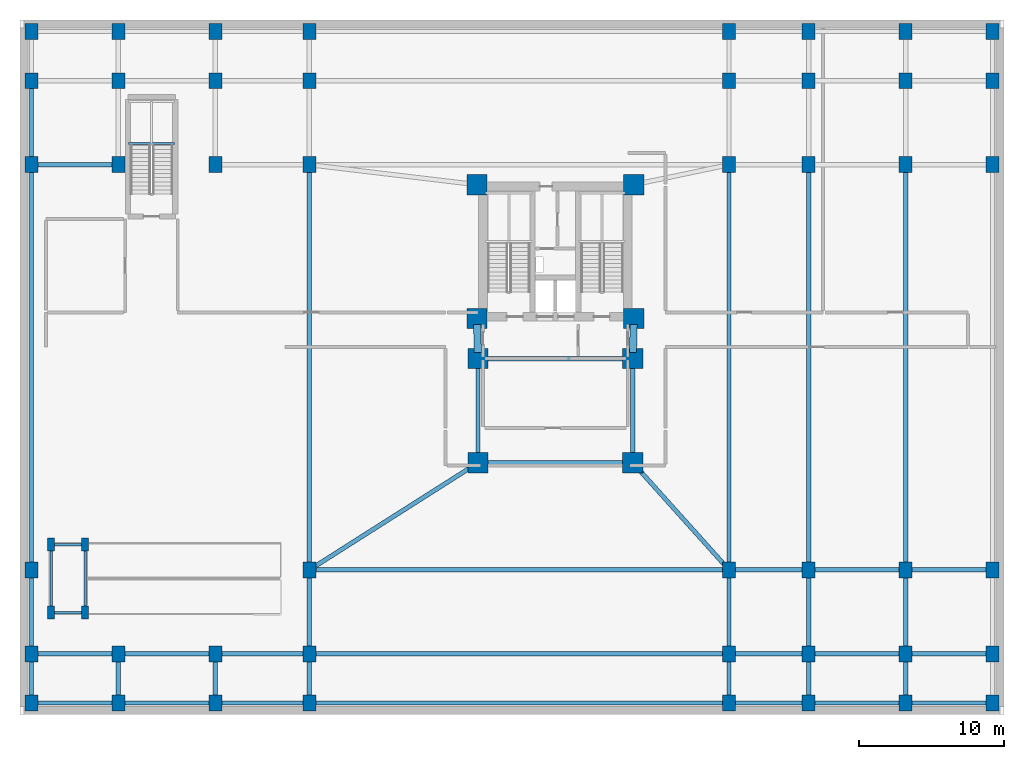
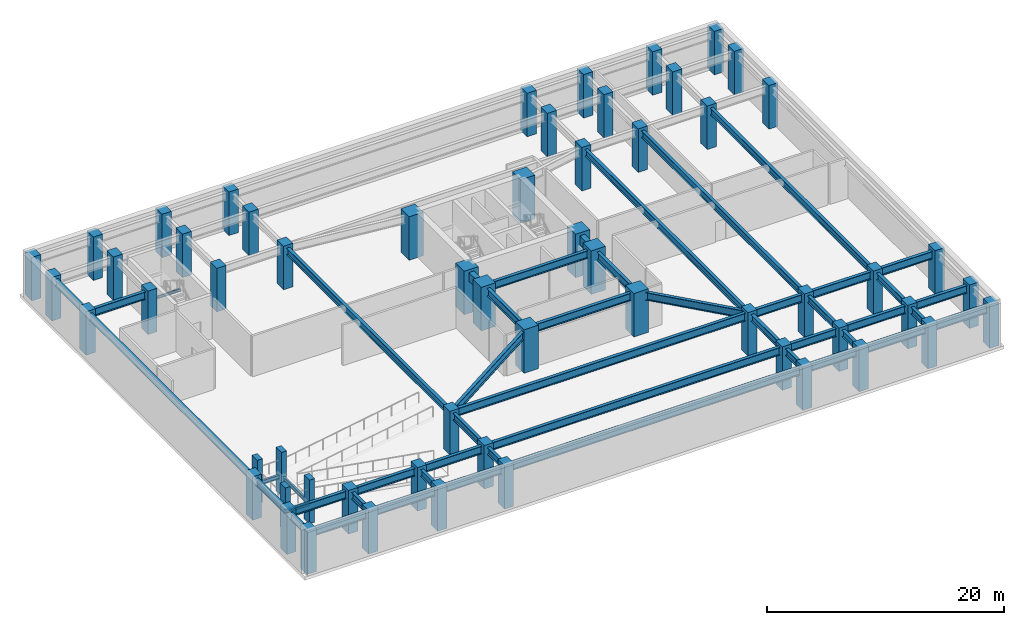
# One storey, part 1 of 8: 58 columns, 50 beams.
"""IFC4 building model written with IfcOpenShell, lengths in metres."""

import ifcopenshell
import ifcopenshell.guid

model = None  # the IFC model being written
_history = None  # IfcOwnerHistory: only IFC2X3 demands one
_inside = {}  # id of a spatial element -> (the spatial element, [elements in it])
_under = {}  # id of a project, library or spatial element -> (it, [spatial elements below it])
_declared = {}  # id of a project -> (the project, [libraries it declares])
_typed = {}  # id of a type object -> (the type object, [elements of that type])
_made_of = {}  # id of a material, layer set ... -> (it, [elements and type objects made of it])


def new_model(schema):
    """Start an empty IFC model of exactly this schema.

    Asked for "IFC4X3", IfcOpenShell would pick the latest addendum, in which some entities
    have other attributes; the version numbers below select the first issue.
    IFC2X3 requires an IfcOwnerHistory on every rooted entity: one is made here for all.
    """
    global model, _history
    if schema == "IFC4X3":
        model = ifcopenshell.file(schema_version=(4, 3, 0, 0))
    else:
        model = ifcopenshell.file(schema=schema)
    _inside.clear()
    _under.clear()
    _declared.clear()
    _typed.clear()
    _made_of.clear()
    _history = None
    if model.schema == "IFC2X3":
        org = make("IfcOrganization", Name="unknown")
        user = make(
            "IfcPersonAndOrganization",
            ThePerson=make("IfcPerson", FamilyName="unknown"),
            TheOrganization=org,
        )
        app = make(
            "IfcApplication",
            ApplicationDeveloper=org,
            Version="unknown",
            ApplicationFullName="unknown",
            ApplicationIdentifier="unknown",
        )
        _history = make(
            "IfcOwnerHistory",
            OwningUser=user,
            OwningApplication=app,
            ChangeAction="ADDED",
            CreationDate=0,
        )
    return model


def make(cls, **values):
    """One entity of the class cls with the attributes given. An attribute that is None is left unset."""
    return model.create_entity(
        cls, **{name: value for name, value in values.items() if value is not None}
    )


def rooted(cls, **values):
    """An entity with a GlobalId (a new one), such as an element, a storey or a relation."""
    return make(cls, GlobalId=ifcopenshell.guid.new(), OwnerHistory=_history, **values)


def si_unit(unit_type, name, prefix=None):
    """IfcSIUnit, for example si_unit("LENGTHUNIT", "METRE", prefix="MILLI")."""
    return make("IfcSIUnit", UnitType=unit_type, Prefix=prefix, Name=name)


def assignment(units):
    """IfcUnitAssignment: the units of a project."""
    return None if units is None else make("IfcUnitAssignment", Units=units)


def point(xyz):
    """IfcCartesianPoint."""
    return None if xyz is None else make("IfcCartesianPoint", Coordinates=xyz)


def direction(xyz):
    """IfcDirection."""
    return None if xyz is None else make("IfcDirection", DirectionRatios=xyz)


def frame(location, z_axis=None, x_axis=None):
    """IfcAxis2Placement3D, a coordinate frame: its origin and axes. An axis left out is left unset."""
    return make(
        "IfcAxis2Placement3D",
        Location=point(location),
        Axis=direction(z_axis),
        RefDirection=direction(x_axis),
    )


def frame_2d(location, x_axis=None):
    """IfcAxis2Placement2D, a coordinate frame in the plane: its origin and x axis."""
    return make(
        "IfcAxis2Placement2D", Location=point(location), RefDirection=direction(x_axis)
    )


def origin():
    """The frame at (0, 0, 0) with its axes left unset."""
    return frame((0.0, 0.0, 0.0))


def origin_2d():
    """The frame at (0, 0) in the plane with its x axis left unset."""
    return frame_2d((0.0, 0.0))


def place(relative_to, where):
    """IfcLocalPlacement: puts the frame where relative to a parent placement (None: the world)."""
    return make(
        "IfcLocalPlacement", PlacementRelTo=relative_to, RelativePlacement=where
    )


def context(
    kind, dimensions, precision=None, world=None, true_north=None, identifier=None
):
    """IfcGeometricRepresentationContext, for example the 3D "Model" context."""
    return make(
        "IfcGeometricRepresentationContext",
        ContextIdentifier=identifier,
        ContextType=kind,
        CoordinateSpaceDimension=dimensions,
        Precision=precision,
        WorldCoordinateSystem=world,
        TrueNorth=true_north,
    )


def subcontext(parent, identifier, kind, view, scale=None):
    """IfcGeometricRepresentationSubContext, for example "Body" below "Model"."""
    return make(
        "IfcGeometricRepresentationSubContext",
        ContextIdentifier=identifier,
        ContextType=kind,
        ParentContext=parent,
        TargetScale=scale,
        TargetView=view,
    )


def project(units=None, contexts=None):
    """IfcProject with its units and contexts."""
    return rooted(
        "IfcProject",
        Name="project",
        RepresentationContexts=contexts,
        UnitsInContext=assignment(units),
    )


def spatial(cls, under=None, at=None, **own):
    """A site, building, storey or space (cls), placed at a placement, below another one or the project."""
    s = rooted(cls, ObjectPlacement=at, **own)
    if under is not None:
        _under.setdefault(under.id(), (under, []))[1].append(s)
    return s


def profile(cls, at=None, kind="AREA", **sizes):
    """A parametric profile (cls). Its sizes go by their IFC names, for example OverallWidth=200.0."""
    return make(cls, ProfileType=kind, Position=at, **sizes)


def rectangle(**sizes):
    """IfcRectangleProfileDef."""
    return profile("IfcRectangleProfileDef", **sizes)


def i_section(**sizes):
    """IfcIShapeProfileDef."""
    return profile("IfcIShapeProfileDef", **sizes)


def extrude(swept, where, along, depth):
    """IfcExtrudedAreaSolid: the profile swept, set in the frame where, extruded along a direction by depth."""
    return make(
        "IfcExtrudedAreaSolid",
        SweptArea=swept,
        Position=where,
        ExtrudedDirection=direction(along),
        Depth=depth,
    )


def shape(context_of_items, identifier, shape_type, items):
    """IfcShapeRepresentation: the items that make up one representation, for example the "Body"."""
    return make(
        "IfcShapeRepresentation",
        ContextOfItems=context_of_items,
        RepresentationIdentifier=identifier,
        RepresentationType=shape_type,
        Items=items,
    )


def material(Name=None, Category=None):
    """IfcMaterial."""
    return make("IfcMaterial", Name=Name, Category=Category)


def material_profile(
    of_material, cross_section, Name=None, Category=None, Priority=None
):
    """IfcMaterialProfile: a cross section and its material."""
    return make(
        "IfcMaterialProfile",
        Name=Name,
        Material=of_material,
        Profile=cross_section,
        Priority=Priority,
        Category=Category,
    )


def profile_set(profiles, Name=None, composite=None):
    """IfcMaterialProfileSet."""
    return make(
        "IfcMaterialProfileSet",
        Name=Name,
        MaterialProfiles=profiles,
        CompositeProfile=composite,
    )


def made_of(thing, what):
    """Note that an element or type object is made of a material, layer set ...; save() writes the relation."""
    if what is not None:
        _made_of.setdefault(what.id(), (what, []))[1].append(thing)
    return thing


def type_object(cls, material=None, **own):
    """A type object (cls), such as IfcWallType, which elements share."""
    return made_of(rooted(cls, **own), material)


def element(
    cls,
    number,
    at=None,
    inside=None,
    cuts=None,
    type_object=None,
    material=None,
    context=None,
    identifier="Body",
    shape_type=None,
    held_by="IfcProductDefinitionShape",
    body=None,
    shapes=None,
    **own,
):
    """One element of the class cls, such as IfcWall. Its Tag is "e" and its number.

    at: its placement. inside: the storey or other place that contains it. cuts: it is an
    opening in that element (IfcRelVoidsElement). A single representation is given by context,
    identifier, shape_type and body (its items); several are given by shapes. held_by: the class
    of the entity that holds the representations. save() writes the other relations.
    """
    e = rooted(cls, Tag="e%d" % number, ObjectPlacement=at, **own)
    if body is not None:
        shapes = [shape(context, identifier, shape_type, body)]
    if shapes is not None:
        e.Representation = make(held_by, Representations=shapes)
    if inside is not None:
        _inside.setdefault(inside.id(), (inside, []))[1].append(e)
    if cuts is not None:
        rooted(
            "IfcRelVoidsElement", RelatingBuildingElement=cuts, RelatedOpeningElement=e
        )
    if type_object is not None:
        _typed.setdefault(type_object.id(), (type_object, []))[1].append(e)
    return made_of(e, material)


def aggregate(whole, parts):
    """IfcRelAggregates: a whole, such as a stair, and the parts it consists of."""
    return rooted("IfcRelAggregates", RelatingObject=whole, RelatedObjects=parts)


def save(model, path):
    """Write the relations noted so far, then the file.

    IfcRelAggregates (storeys below a building ...), IfcRelContainedInSpatialStructure (elements
    in a storey), IfcRelDefinesByType, IfcRelAssociatesMaterial and IfcRelDeclares: one each for
    every whole, place, type object, material and project.
    """
    for whole, parts in _under.values():
        aggregate(whole, parts)
    for where, things in _inside.values():
        rooted(
            "IfcRelContainedInSpatialStructure",
            RelatedElements=things,
            RelatingStructure=where,
        )
    for kind, things in _typed.values():
        rooted("IfcRelDefinesByType", RelatedObjects=things, RelatingType=kind)
    for what, things in _made_of.values():
        rooted("IfcRelAssociatesMaterial", RelatedObjects=things, RelatingMaterial=what)
    for by, libraries in _declared.values():
        rooted("IfcRelDeclares", RelatingContext=by, RelatedDefinitions=libraries)
    model.write(path)


model = new_model("IFC4")

# Units and contexts
model_context = context("Model", 3, precision=1e-05, world=origin(), true_north=direction((0.0, 1.0)))
body_context = subcontext(model_context, "Body", "Model", "MODEL_VIEW")
ifc_project = project(units=[si_unit("LENGTHUNIT", "METRE"), si_unit("AREAUNIT", "SQUARE_METRE"), si_unit("VOLUMEUNIT", "CUBIC_METRE"), si_unit("PLANEANGLEUNIT", "RADIAN"), si_unit("MASSUNIT", "GRAM", prefix="KILO")], contexts=[model_context])

# Site, building, storey
site_placement = place(None, origin())
site = spatial("IfcSite", under=ifc_project, at=site_placement, CompositionType="ELEMENT")
building_placement = place(site_placement, origin())
building = spatial("IfcBuilding", under=site, at=building_placement, Name="Varnakorn Sky Granary", CompositionType="ELEMENT")
storey_placement = place(building_placement, frame((0.0, 0.0, -9.0)))
storey = spatial("IfcBuildingStorey", under=building, at=storey_placement, Name="B02", CompositionType="ELEMENT", Elevation=-9.0)

# Columns
ifc_material_1 = material(Name="Concrete C60/75", Category="concrete")
ifc_material_profile_1 = material_profile(ifc_material_1, rectangle(XDim=1.39990234375, YDim=1.39990234375, at=origin_2d()), Name="RC 1400x1400")
ifc_profile_set_1 = profile_set([ifc_material_profile_1], Name="Concrete C60/75")
column_type_1 = type_object("IfcColumnType", Name="COL-MC-Z0", PredefinedType="COLUMN", material=ifc_profile_set_1)
for number, where, z_axis, x_axis, name in (
    (1, (-2.419921875, 12.6201171875, 0.0), (0.0, 0.0, 1.0), (1.0, 0.0, 0.0), "Backbone Mega-Column MC1 B02"),
    (2, (8.419921875, 12.6201171875, 0.0), (0.0, 0.0, 1.0), (1.0, 0.0, 0.0), "Backbone Mega-Column MC2 B02"),
    (3, (-2.419921875, 3.3798828125, 0.0), (0.0, 0.0, 1.0), (1.0, 0.0, 0.0), "Backbone Mega-Column MC3 B02"),
    (4, (8.419921875, 3.3798828125, 0.0), (0.0, 0.0, 1.0), (1.0, 0.0, 0.0), "Backbone Mega-Column MC4 B02"),
    (5, (-2.35009765625, 0.60009765625, 0.0), (0.0, 0.0, 1.0), (1.0, 0.0, 0.0), "Backbone Mega-Column MC5 B02"),
    (6, (8.35009765625, 0.60009765625, 0.0), (0.0, 0.0, 1.0), (1.0, 0.0, 0.0), "Backbone Mega-Column MC6 B02"),
    (7, (-2.35009765625, -6.60009765625, 0.0), (0.0, 0.0, 1.0), (1.0, 0.0, 0.0), "Backbone Mega-Column MC7 B02"),
    (8, (8.35009765625, -6.60009765625, 0.0), (0.0, 0.0, 1.0), (1.0, 0.0, 0.0), "Backbone Mega-Column MC8 B02"),
):
    element("IfcColumn", number, at=place(storey_placement, frame(where, z_axis=z_axis, x_axis=x_axis)), inside=storey, type_object=column_type_1, Name=name, PredefinedType="COLUMN", context=body_context, shape_type="SweptSolid", body=[
        extrude(rectangle(XDim=1.39990234375, YDim=1.39990234375, at=origin_2d()), origin(), (0.0, 0.0, 1.0), 4.47509765625),
    ])
ifc_material_profile_2 = material_profile(ifc_material_1, rectangle(XDim=0.89990234375, YDim=1.10009765625, at=origin_2d()), Name="RC 900x1100")
ifc_profile_set_2 = profile_set([ifc_material_profile_2], Name="Concrete C60/75")
column_type_2 = type_object("IfcColumnType", Name="COL-POD-1100", PredefinedType="COLUMN", material=ifc_profile_set_2)
for number, where, z_axis, x_axis, name in (
    (9, (-33.199951171875, -23.199951171875, 0.0), (0.0, 0.0, 1.0), (1.0, 0.0, 0.0), "Podium Column P11 B02"),
    (10, (-33.199951171875, -19.800048828125, 0.0), (0.0, 0.0, 1.0), (1.0, 0.0, 0.0), "Podium Column P12 B02"),
    (11, (-33.199951171875, -14.0, 0.0), (0.0, 0.0, 1.0), (1.0, 0.0, 0.0), "Podium Column P13 B02"),
    (12, (-33.199951171875, 14.0, 0.0), (0.0, 0.0, 1.0), (1.0, 0.0, 0.0), "Podium Column P14 B02"),
    (13, (-33.199951171875, 19.800048828125, 0.0), (0.0, 0.0, 1.0), (1.0, 0.0, 0.0), "Podium Column P15 B02"),
    (14, (-33.199951171875, 23.199951171875, 0.0), (0.0, 0.0, 1.0), (1.0, 0.0, 0.0), "Podium Column P16 B02"),
    (15, (-27.199951171875, -23.199951171875, 0.0), (0.0, 0.0, 1.0), (1.0, 0.0, 0.0), "Podium Column P21 B02"),
    (16, (-27.199951171875, -19.800048828125, 0.0), (0.0, 0.0, 1.0), (1.0, 0.0, 0.0), "Podium Column P22 B02"),
    (17, (-27.199951171875, 14.0, 0.0), (0.0, 0.0, 1.0), (1.0, 0.0, 0.0), "Podium Column P24 B02"),
    (18, (-27.199951171875, 19.800048828125, 0.0), (0.0, 0.0, 1.0), (1.0, 0.0, 0.0), "Podium Column P25 B02"),
    (19, (-27.199951171875, 23.199951171875, 0.0), (0.0, 0.0, 1.0), (1.0, 0.0, 0.0), "Podium Column P26 B02"),
    (20, (-20.5, -23.199951171875, 0.0), (0.0, 0.0, 1.0), (1.0, 0.0, 0.0), "Podium Column P31 B02"),
    (21, (-20.5, -19.800048828125, 0.0), (0.0, 0.0, 1.0), (1.0, 0.0, 0.0), "Podium Column P32 B02"),
    (22, (-20.5, 14.0, 0.0), (0.0, 0.0, 1.0), (1.0, 0.0, 0.0), "Podium Column P34 B02"),
    (23, (-20.5, 19.800048828125, 0.0), (0.0, 0.0, 1.0), (1.0, 0.0, 0.0), "Podium Column P35 B02"),
    (24, (-20.5, 23.199951171875, 0.0), (0.0, 0.0, 1.0), (1.0, 0.0, 0.0), "Podium Column P36 B02"),
    (25, (-14.0, -23.199951171875, 0.0), (0.0, 0.0, 1.0), (1.0, 0.0, 0.0), "Podium Column P41 B02"),
    (26, (-14.0, -19.800048828125, 0.0), (0.0, 0.0, 1.0), (1.0, 0.0, 0.0), "Podium Column P42 B02"),
    (27, (-14.0, -14.0, 0.0), (0.0, 0.0, 1.0), (1.0, 0.0, 0.0), "Podium Column P43 B02"),
    (28, (-14.0, 14.0, 0.0), (0.0, 0.0, 1.0), (1.0, 0.0, 0.0), "Podium Column P44 B02"),
    (29, (-14.0, 19.800048828125, 0.0), (0.0, 0.0, 1.0), (1.0, 0.0, 0.0), "Podium Column P45 B02"),
    (30, (-14.0, 23.199951171875, 0.0), (0.0, 0.0, 1.0), (1.0, 0.0, 0.0), "Podium Column P46 B02"),
    (31, (15.0, -23.199951171875, 0.0), (0.0, 0.0, 1.0), (1.0, 0.0, 0.0), "Podium Column P51 B02"),
    (32, (15.0, -19.800048828125, 0.0), (0.0, 0.0, 1.0), (1.0, 0.0, 0.0), "Podium Column P52 B02"),
    (33, (15.0, -14.0, 0.0), (0.0, 0.0, 1.0), (1.0, 0.0, 0.0), "Podium Column P53 B02"),
    (34, (15.0, 14.0, 0.0), (0.0, 0.0, 1.0), (1.0, 0.0, 0.0), "Podium Column P54 B02"),
    (35, (15.0, 19.800048828125, 0.0), (0.0, 0.0, 1.0), (1.0, 0.0, 0.0), "Podium Column P55 B02"),
    (36, (15.0, 23.199951171875, 0.0), (0.0, 0.0, 1.0), (1.0, 0.0, 0.0), "Podium Column P56 B02"),
    (37, (20.5, -23.199951171875, 0.0), (0.0, 0.0, 1.0), (1.0, 0.0, 0.0), "Podium Column P61 B02"),
    (38, (20.5, -19.800048828125, 0.0), (0.0, 0.0, 1.0), (1.0, 0.0, 0.0), "Podium Column P62 B02"),
    (39, (20.5, -14.0, 0.0), (0.0, 0.0, 1.0), (1.0, 0.0, 0.0), "Podium Column P63 B02"),
    (40, (20.5, 14.0, 0.0), (0.0, 0.0, 1.0), (1.0, 0.0, 0.0), "Podium Column P64 B02"),
    (41, (20.5, 19.800048828125, 0.0), (0.0, 0.0, 1.0), (1.0, 0.0, 0.0), "Podium Column P65 B02"),
    (42, (20.5, 23.199951171875, 0.0), (0.0, 0.0, 1.0), (1.0, 0.0, 0.0), "Podium Column P66 B02"),
    (43, (27.199951171875, -23.199951171875, 0.0), (0.0, 0.0, 1.0), (1.0, 0.0, 0.0), "Podium Column P71 B02"),
    (44, (27.199951171875, -19.800048828125, 0.0), (0.0, 0.0, 1.0), (1.0, 0.0, 0.0), "Podium Column P72 B02"),
    (45, (27.199951171875, -14.0, 0.0), (0.0, 0.0, 1.0), (1.0, 0.0, 0.0), "Podium Column P73 B02"),
    (46, (27.199951171875, 14.0, 0.0), (0.0, 0.0, 1.0), (1.0, 0.0, 0.0), "Podium Column P74 B02"),
    (47, (27.199951171875, 19.800048828125, 0.0), (0.0, 0.0, 1.0), (1.0, 0.0, 0.0), "Podium Column P75 B02"),
    (48, (27.199951171875, 23.199951171875, 0.0), (0.0, 0.0, 1.0), (1.0, 0.0, 0.0), "Podium Column P76 B02"),
    (49, (33.199951171875, -23.199951171875, 0.0), (0.0, 0.0, 1.0), (1.0, 0.0, 0.0), "Podium Column P81 B02"),
    (50, (33.199951171875, -19.800048828125, 0.0), (0.0, 0.0, 1.0), (1.0, 0.0, 0.0), "Podium Column P82 B02"),
    (51, (33.199951171875, -14.0, 0.0), (0.0, 0.0, 1.0), (1.0, 0.0, 0.0), "Podium Column P83 B02"),
    (52, (33.199951171875, 14.0, 0.0), (0.0, 0.0, 1.0), (1.0, 0.0, 0.0), "Podium Column P84 B02"),
    (53, (33.199951171875, 19.800048828125, 0.0), (0.0, 0.0, 1.0), (1.0, 0.0, 0.0), "Podium Column P85 B02"),
    (54, (33.199951171875, 23.199951171875, 0.0), (0.0, 0.0, 1.0), (1.0, 0.0, 0.0), "Podium Column P86 B02"),
):
    element("IfcColumn", number, at=place(storey_placement, frame(where, z_axis=z_axis, x_axis=x_axis)), inside=storey, type_object=column_type_2, Name=name, PredefinedType="COLUMN", context=body_context, shape_type="SweptSolid", body=[
        extrude(rectangle(XDim=0.89990234375, YDim=1.10009765625, at=origin_2d()), origin(), (0.0, 0.0, 1.0), 4.47509765625),
    ])
ifc_material_2 = material(Name="Concrete C50/60", Category="concrete")
ifc_material_profile_3 = material_profile(ifc_material_2, rectangle(XDim=0.5, YDim=0.89990234375, at=origin_2d()), Name="RC 500x900")
ifc_profile_set_3 = profile_set([ifc_material_profile_3], Name="Concrete C50/60")
column_type_3 = type_object("IfcColumnType", Name="COL-RMP-500", PredefinedType="COLUMN", material=ifc_profile_set_3)
for number, where, z_axis, x_axis, name in (
    (55, (-31.85009765625, -16.949951171875, 0.0), (0.0, 0.0, 1.0), (1.0, 0.0, 0.0), "Vehicle Ramp Support Column 1 B02"),
    (56, (-29.5, -16.949951171875, 0.0), (0.0, 0.0, 1.0), (1.0, 0.0, 0.0), "Vehicle Ramp Support Column 2 B02"),
    (57, (-31.85009765625, -12.25, 0.0), (0.0, 0.0, 1.0), (1.0, 0.0, 0.0), "Vehicle Ramp Support Column 3 B02"),
    (58, (-29.5, -12.25, 0.0), (0.0, 0.0, 1.0), (1.0, 0.0, 0.0), "Vehicle Ramp Support Column 4 B02"),
):
    element("IfcColumn", number, at=place(storey_placement, frame(where, z_axis=z_axis, x_axis=x_axis)), inside=storey, type_object=column_type_3, Name=name, PredefinedType="COLUMN", context=body_context, shape_type="SweptSolid", body=[
        extrude(rectangle(XDim=0.5, YDim=0.89990234375, at=origin_2d()), origin(), (0.0, 0.0, 1.0), 4.491943359375),
    ])

# Beams
ifc_material_profile_4 = material_profile(ifc_material_1, rectangle(XDim=0.5, YDim=0.89990234375, at=origin_2d()), Name="RC 500x900")
ifc_profile_set_4 = profile_set([ifc_material_profile_4], Name="Concrete C60/75")
beam_type_1 = type_object("IfcBeamType", Name="BM-LIN-900", PredefinedType="LINTEL", material=ifc_profile_set_4)
for number, where, z_axis, x_axis, name in (
    (59, (-2.409423828125, 2.960205078125, 3.72998046875), (0.025158763514, -0.999683468213, 0.0), (0.999683468213, 0.025158763514, 0.0), "Core Spine Beam 1 B02"),
    (60, (8.409423828125, 2.960205078125, 3.72998046875), (-0.025158763514, -0.999683468213, 0.0), (0.999683468213, -0.025158763514, 0.0), "Core Spine Beam 2 B02"),
):
    element("IfcBeam", number, at=place(storey_placement, frame(where, z_axis=z_axis, x_axis=x_axis)), inside=storey, type_object=beam_type_1, Name=name, PredefinedType="LINTEL", context=body_context, shape_type="SweptSolid", body=[
        extrude(rectangle(XDim=0.5, YDim=0.89990234375, at=origin_2d()), origin(), (0.0, 0.0, 1.0), 1.94091796875),
    ])
ifc_material_3 = material(Name="Steel S355JR", Category="steel")
ifc_material_profile_5 = material_profile(ifc_material_3, i_section(OverallWidth=0.135009765625, OverallDepth=0.27001953125, WebThickness=0.006591796875, FlangeThickness=0.01025390625, at=origin_2d()), Name="IPE 270")
ifc_profile_set_5 = profile_set([ifc_material_profile_5], Name="Steel S355JR")
beam_type_2 = type_object("IfcBeamType", Name="BM-LND-270", PredefinedType="BEAM", material=ifc_profile_set_5)
beam_1_placement = place(storey_placement, frame((-26.5, 15.4599609375, 1.9150390625), z_axis=(1.0, 0.0, 0.0), x_axis=(0.0, 1.0, 0.0)))
element("IfcBeam", 61, at=beam_1_placement, inside=storey, type_object=beam_type_2, Name="Stair ST-B3 Landing Trimmer Beam A B02-1", PredefinedType="BEAM", context=body_context, shape_type="SweptSolid", body=[
    extrude(i_section(OverallWidth=0.135009765625, OverallDepth=0.27001953125, WebThickness=0.006591796875, FlangeThickness=0.01025390625, at=origin_2d()), origin(), (0.0, 0.0, 1.0), 3.179931640625),
])
ifc_material_profile_6 = material_profile(ifc_material_3, i_section(OverallWidth=0.300048828125, OverallDepth=0.699951171875, WebThickness=0.01708984375, FlangeThickness=0.031982421875, at=origin_2d()), Name="HE 700 B")
ifc_profile_set_6 = profile_set([ifc_material_profile_6], Name="Steel S355JR")
beam_type_3 = type_object("IfcBeamType", Name="BM-PG-700", PredefinedType="T_BEAM", material=ifc_profile_set_6)
beam_2_placement = place(storey_placement, frame((-33.199951171875, -22.780029296875, 3.830078125), z_axis=(0.0, 1.0, 0.0), x_axis=(-1.0, 0.0, 0.0)))
element("IfcBeam", 62, at=beam_2_placement, inside=storey, type_object=beam_type_3, Name="Podium Y-Girder GY39 B02", PredefinedType="T_BEAM", context=body_context, shape_type="SweptSolid", body=[
    extrude(i_section(OverallWidth=0.300048828125, OverallDepth=0.699951171875, WebThickness=0.01708984375, FlangeThickness=0.031982421875, at=origin_2d()), origin(), (0.0, 0.0, 1.0), 2.56005859375),
])
beam_3_placement = place(storey_placement, frame((-33.199951171875, -19.3798828125, 3.830078125), z_axis=(0.0, 1.0, 0.0), x_axis=(-1.0, 0.0, 0.0)))
element("IfcBeam", 63, at=beam_3_placement, inside=storey, type_object=beam_type_3, Name="Podium Y-Girder GY40 B02", PredefinedType="T_BEAM", context=body_context, shape_type="SweptSolid", body=[
    extrude(i_section(OverallWidth=0.300048828125, OverallDepth=0.699951171875, WebThickness=0.01708984375, FlangeThickness=0.031982421875, at=origin_2d()), origin(), (0.0, 0.0, 1.0), 4.9599609375),
])
beam_4_placement = place(storey_placement, frame((-33.199951171875, -13.580078125, 3.830078125), z_axis=(0.0, 1.0, 0.0), x_axis=(-1.0, 0.0, 0.0)))
element("IfcBeam", 64, at=beam_4_placement, inside=storey, type_object=beam_type_3, Name="Podium Y-Girder GY41 B02", PredefinedType="T_BEAM", context=body_context, shape_type="SweptSolid", body=[
    extrude(i_section(OverallWidth=0.300048828125, OverallDepth=0.699951171875, WebThickness=0.01708984375, FlangeThickness=0.031982421875, at=origin_2d()), origin(), (0.0, 0.0, 1.0), 27.16015625),
])
beam_5_placement = place(storey_placement, frame((-33.199951171875, 14.419921875, 3.830078125), z_axis=(0.0, 1.0, 0.0), x_axis=(-1.0, 0.0, 0.0)))
element("IfcBeam", 65, at=beam_5_placement, inside=storey, type_object=beam_type_3, Name="Podium Y-Girder GY42 B02", PredefinedType="T_BEAM", context=body_context, shape_type="SweptSolid", body=[
    extrude(i_section(OverallWidth=0.300048828125, OverallDepth=0.699951171875, WebThickness=0.01708984375, FlangeThickness=0.031982421875, at=origin_2d()), origin(), (0.0, 0.0, 1.0), 4.9599609375),
])
for number, where, z_axis, x_axis, name in (
    (66, (-27.199951171875, -22.780029296875, 3.830078125), (0.0, 1.0, 0.0), (-1.0, 0.0, 0.0), "Podium Y-Girder GY44 B02"),
    (67, (-20.5, -22.780029296875, 3.830078125), (0.0, 1.0, 0.0), (-1.0, 0.0, 0.0), "Podium Y-Girder GY47 B02"),
    (68, (-14.0, -22.780029296875, 3.830078125), (0.0, 1.0, 0.0), (-1.0, 0.0, 0.0), "Podium Y-Girder GY50 B02"),
):
    element("IfcBeam", number, at=place(storey_placement, frame(where, z_axis=z_axis, x_axis=x_axis)), inside=storey, type_object=beam_type_3, Name=name, PredefinedType="T_BEAM", context=body_context, shape_type="SweptSolid", body=[
        extrude(i_section(OverallWidth=0.300048828125, OverallDepth=0.699951171875, WebThickness=0.01708984375, FlangeThickness=0.031982421875, at=origin_2d()), origin(), (0.0, 0.0, 1.0), 2.56005859375),
    ])
beam_6_placement = place(storey_placement, frame((-14.0, -19.3798828125, 3.830078125), z_axis=(0.0, 1.0, 0.0), x_axis=(-1.0, 0.0, 0.0)))
element("IfcBeam", 69, at=beam_6_placement, inside=storey, type_object=beam_type_3, Name="Podium Y-Girder GY51 B02", PredefinedType="T_BEAM", context=body_context, shape_type="SweptSolid", body=[
    extrude(i_section(OverallWidth=0.300048828125, OverallDepth=0.699951171875, WebThickness=0.01708984375, FlangeThickness=0.031982421875, at=origin_2d()), origin(), (0.0, 0.0, 1.0), 4.9599609375),
])
beam_7_placement = place(storey_placement, frame((-14.0, -13.580078125, 3.830078125), z_axis=(0.0, 1.0, 0.0), x_axis=(-1.0, 0.0, 0.0)))
element("IfcBeam", 70, at=beam_7_placement, inside=storey, type_object=beam_type_3, Name="Podium Y-Girder GY52 B02", PredefinedType="T_BEAM", context=body_context, shape_type="SweptSolid", body=[
    extrude(i_section(OverallWidth=0.300048828125, OverallDepth=0.699951171875, WebThickness=0.01708984375, FlangeThickness=0.031982421875, at=origin_2d()), origin(), (0.0, 0.0, 1.0), 27.16015625),
])
beam_8_placement = place(storey_placement, frame((15.0, -22.780029296875, 3.830078125), z_axis=(0.0, 1.0, 0.0), x_axis=(-1.0, 0.0, 0.0)))
element("IfcBeam", 71, at=beam_8_placement, inside=storey, type_object=beam_type_3, Name="Podium Y-Girder GY55 B02", PredefinedType="T_BEAM", context=body_context, shape_type="SweptSolid", body=[
    extrude(i_section(OverallWidth=0.300048828125, OverallDepth=0.699951171875, WebThickness=0.01708984375, FlangeThickness=0.031982421875, at=origin_2d()), origin(), (0.0, 0.0, 1.0), 2.56005859375),
])
beam_9_placement = place(storey_placement, frame((15.0, -19.3798828125, 3.830078125), z_axis=(0.0, 1.0, 0.0), x_axis=(-1.0, 0.0, 0.0)))
element("IfcBeam", 72, at=beam_9_placement, inside=storey, type_object=beam_type_3, Name="Podium Y-Girder GY56 B02", PredefinedType="T_BEAM", context=body_context, shape_type="SweptSolid", body=[
    extrude(i_section(OverallWidth=0.300048828125, OverallDepth=0.699951171875, WebThickness=0.01708984375, FlangeThickness=0.031982421875, at=origin_2d()), origin(), (0.0, 0.0, 1.0), 4.9599609375),
])
beam_10_placement = place(storey_placement, frame((15.0, -13.580078125, 3.830078125), z_axis=(0.0, 1.0, 0.0), x_axis=(-1.0, 0.0, 0.0)))
element("IfcBeam", 73, at=beam_10_placement, inside=storey, type_object=beam_type_3, Name="Podium Y-Girder GY57 B02", PredefinedType="T_BEAM", context=body_context, shape_type="SweptSolid", body=[
    extrude(i_section(OverallWidth=0.300048828125, OverallDepth=0.699951171875, WebThickness=0.01708984375, FlangeThickness=0.031982421875, at=origin_2d()), origin(), (0.0, 0.0, 1.0), 27.16015625),
])
beam_11_placement = place(storey_placement, frame((20.5, -22.780029296875, 3.830078125), z_axis=(0.0, 1.0, 0.0), x_axis=(-1.0, 0.0, 0.0)))
element("IfcBeam", 74, at=beam_11_placement, inside=storey, type_object=beam_type_3, Name="Podium Y-Girder GY60 B02", PredefinedType="T_BEAM", context=body_context, shape_type="SweptSolid", body=[
    extrude(i_section(OverallWidth=0.300048828125, OverallDepth=0.699951171875, WebThickness=0.01708984375, FlangeThickness=0.031982421875, at=origin_2d()), origin(), (0.0, 0.0, 1.0), 2.56005859375),
])
beam_12_placement = place(storey_placement, frame((20.5, -19.3798828125, 3.830078125), z_axis=(0.0, 1.0, 0.0), x_axis=(-1.0, 0.0, 0.0)))
element("IfcBeam", 75, at=beam_12_placement, inside=storey, type_object=beam_type_3, Name="Podium Y-Girder GY61 B02", PredefinedType="T_BEAM", context=body_context, shape_type="SweptSolid", body=[
    extrude(i_section(OverallWidth=0.300048828125, OverallDepth=0.699951171875, WebThickness=0.01708984375, FlangeThickness=0.031982421875, at=origin_2d()), origin(), (0.0, 0.0, 1.0), 4.9599609375),
])
beam_13_placement = place(storey_placement, frame((20.5, -13.580078125, 3.830078125), z_axis=(0.0, 1.0, 0.0), x_axis=(-1.0, 0.0, 0.0)))
element("IfcBeam", 76, at=beam_13_placement, inside=storey, type_object=beam_type_3, Name="Podium Y-Girder GY62 B02", PredefinedType="T_BEAM", context=body_context, shape_type="SweptSolid", body=[
    extrude(i_section(OverallWidth=0.300048828125, OverallDepth=0.699951171875, WebThickness=0.01708984375, FlangeThickness=0.031982421875, at=origin_2d()), origin(), (0.0, 0.0, 1.0), 27.16015625),
])
beam_14_placement = place(storey_placement, frame((27.199951171875, -22.780029296875, 3.830078125), z_axis=(0.0, 1.0, 0.0), x_axis=(-1.0, 0.0, 0.0)))
element("IfcBeam", 77, at=beam_14_placement, inside=storey, type_object=beam_type_3, Name="Podium Y-Girder GY65 B02", PredefinedType="T_BEAM", context=body_context, shape_type="SweptSolid", body=[
    extrude(i_section(OverallWidth=0.300048828125, OverallDepth=0.699951171875, WebThickness=0.01708984375, FlangeThickness=0.031982421875, at=origin_2d()), origin(), (0.0, 0.0, 1.0), 2.56005859375),
])
beam_15_placement = place(storey_placement, frame((27.199951171875, -19.3798828125, 3.830078125), z_axis=(0.0, 1.0, 0.0), x_axis=(-1.0, 0.0, 0.0)))
element("IfcBeam", 78, at=beam_15_placement, inside=storey, type_object=beam_type_3, Name="Podium Y-Girder GY66 B02", PredefinedType="T_BEAM", context=body_context, shape_type="SweptSolid", body=[
    extrude(i_section(OverallWidth=0.300048828125, OverallDepth=0.699951171875, WebThickness=0.01708984375, FlangeThickness=0.031982421875, at=origin_2d()), origin(), (0.0, 0.0, 1.0), 4.9599609375),
])
beam_16_placement = place(storey_placement, frame((27.199951171875, -13.580078125, 3.830078125), z_axis=(0.0, 1.0, 0.0), x_axis=(-1.0, 0.0, 0.0)))
element("IfcBeam", 79, at=beam_16_placement, inside=storey, type_object=beam_type_3, Name="Podium Y-Girder GY67 B02", PredefinedType="T_BEAM", context=body_context, shape_type="SweptSolid", body=[
    extrude(i_section(OverallWidth=0.300048828125, OverallDepth=0.699951171875, WebThickness=0.01708984375, FlangeThickness=0.031982421875, at=origin_2d()), origin(), (0.0, 0.0, 1.0), 27.16015625),
])
ifc_material_profile_7 = material_profile(ifc_material_3, i_section(OverallWidth=0.300048828125, OverallDepth=0.800048828125, WebThickness=0.017578125, FlangeThickness=0.032958984375, at=origin_2d()), Name="HE 800 B")
ifc_profile_set_7 = profile_set([ifc_material_profile_7], Name="Steel S355JR")
beam_type_4 = type_object("IfcBeamType", Name="BM-PG-800", PredefinedType="BEAM", material=ifc_profile_set_7)
beam_17_placement = place(storey_placement, frame((-32.780029296875, -23.199951171875, 3.780029296875), z_axis=(1.0, 0.0, 0.0), x_axis=(0.0, 1.0, 0.0)))
element("IfcBeam", 80, at=beam_17_placement, inside=storey, type_object=beam_type_4, Name="Podium X-Girder GX01 B02", PredefinedType="BEAM", context=body_context, shape_type="SweptSolid", body=[
    extrude(i_section(OverallWidth=0.300048828125, OverallDepth=0.800048828125, WebThickness=0.017578125, FlangeThickness=0.032958984375, at=origin_2d()), origin(), (0.0, 0.0, 1.0), 5.159912109375),
])
beam_18_placement = place(storey_placement, frame((-26.780029296875, -23.199951171875, 3.780029296875), z_axis=(1.0, 0.0, 0.0), x_axis=(0.0, 1.0, 0.0)))
element("IfcBeam", 81, at=beam_18_placement, inside=storey, type_object=beam_type_4, Name="Podium X-Girder GX02 B02", PredefinedType="BEAM", context=body_context, shape_type="SweptSolid", body=[
    extrude(i_section(OverallWidth=0.300048828125, OverallDepth=0.800048828125, WebThickness=0.017578125, FlangeThickness=0.032958984375, at=origin_2d()), origin(), (0.0, 0.0, 1.0), 5.860107421875),
])
beam_19_placement = place(storey_placement, frame((-20.080078125, -23.199951171875, 3.780029296875), z_axis=(1.0, 0.0, 0.0), x_axis=(0.0, 1.0, 0.0)))
element("IfcBeam", 82, at=beam_19_placement, inside=storey, type_object=beam_type_4, Name="Podium X-Girder GX03 B02", PredefinedType="BEAM", context=body_context, shape_type="SweptSolid", body=[
    extrude(i_section(OverallWidth=0.300048828125, OverallDepth=0.800048828125, WebThickness=0.017578125, FlangeThickness=0.032958984375, at=origin_2d()), origin(), (0.0, 0.0, 1.0), 5.66015625),
])
beam_20_placement = place(storey_placement, frame((-13.580078125, -23.199951171875, 3.780029296875), z_axis=(1.0, 0.0, 0.0), x_axis=(0.0, 1.0, 0.0)))
element("IfcBeam", 83, at=beam_20_placement, inside=storey, type_object=beam_type_4, Name="Podium X-Girder GX04 B02", PredefinedType="BEAM", context=body_context, shape_type="SweptSolid", body=[
    extrude(i_section(OverallWidth=0.300048828125, OverallDepth=0.800048828125, WebThickness=0.017578125, FlangeThickness=0.032958984375, at=origin_2d()), origin(), (0.0, 0.0, 1.0), 28.16015625),
])
beam_21_placement = place(storey_placement, frame((15.419921875, -23.199951171875, 3.780029296875), z_axis=(1.0, 0.0, 0.0), x_axis=(0.0, 1.0, 0.0)))
element("IfcBeam", 84, at=beam_21_placement, inside=storey, type_object=beam_type_4, Name="Podium X-Girder GX05 B02", PredefinedType="BEAM", context=body_context, shape_type="SweptSolid", body=[
    extrude(i_section(OverallWidth=0.300048828125, OverallDepth=0.800048828125, WebThickness=0.017578125, FlangeThickness=0.032958984375, at=origin_2d()), origin(), (0.0, 0.0, 1.0), 4.66015625),
])
beam_22_placement = place(storey_placement, frame((20.919921875, -23.199951171875, 3.780029296875), z_axis=(1.0, 0.0, 0.0), x_axis=(0.0, 1.0, 0.0)))
element("IfcBeam", 85, at=beam_22_placement, inside=storey, type_object=beam_type_4, Name="Podium X-Girder GX06 B02", PredefinedType="BEAM", context=body_context, shape_type="SweptSolid", body=[
    extrude(i_section(OverallWidth=0.300048828125, OverallDepth=0.800048828125, WebThickness=0.017578125, FlangeThickness=0.032958984375, at=origin_2d()), origin(), (0.0, 0.0, 1.0), 5.860107421875),
])
for number, where, z_axis, x_axis, name in (
    (86, (27.6201171875, -23.199951171875, 3.780029296875), (1.0, 0.0, 0.0), (0.0, 1.0, 0.0), "Podium X-Girder GX07 B02"),
    (87, (-32.780029296875, -19.800048828125, 3.780029296875), (1.0, 0.0, 0.0), (0.0, 1.0, 0.0), "Podium X-Girder GX08 B02"),
):
    element("IfcBeam", number, at=place(storey_placement, frame(where, z_axis=z_axis, x_axis=x_axis)), inside=storey, type_object=beam_type_4, Name=name, PredefinedType="BEAM", context=body_context, shape_type="SweptSolid", body=[
        extrude(i_section(OverallWidth=0.300048828125, OverallDepth=0.800048828125, WebThickness=0.017578125, FlangeThickness=0.032958984375, at=origin_2d()), origin(), (0.0, 0.0, 1.0), 5.159912109375),
    ])
beam_23_placement = place(storey_placement, frame((-26.780029296875, -19.800048828125, 3.780029296875), z_axis=(1.0, 0.0, 0.0), x_axis=(0.0, 1.0, 0.0)))
element("IfcBeam", 88, at=beam_23_placement, inside=storey, type_object=beam_type_4, Name="Podium X-Girder GX09 B02", PredefinedType="BEAM", context=body_context, shape_type="SweptSolid", body=[
    extrude(i_section(OverallWidth=0.300048828125, OverallDepth=0.800048828125, WebThickness=0.017578125, FlangeThickness=0.032958984375, at=origin_2d()), origin(), (0.0, 0.0, 1.0), 5.860107421875),
])
beam_24_placement = place(storey_placement, frame((-20.080078125, -19.800048828125, 3.780029296875), z_axis=(1.0, 0.0, 0.0), x_axis=(0.0, 1.0, 0.0)))
element("IfcBeam", 89, at=beam_24_placement, inside=storey, type_object=beam_type_4, Name="Podium X-Girder GX10 B02", PredefinedType="BEAM", context=body_context, shape_type="SweptSolid", body=[
    extrude(i_section(OverallWidth=0.300048828125, OverallDepth=0.800048828125, WebThickness=0.017578125, FlangeThickness=0.032958984375, at=origin_2d()), origin(), (0.0, 0.0, 1.0), 5.66015625),
])
beam_25_placement = place(storey_placement, frame((-13.580078125, -19.800048828125, 3.780029296875), z_axis=(1.0, 0.0, 0.0), x_axis=(0.0, 1.0, 0.0)))
element("IfcBeam", 90, at=beam_25_placement, inside=storey, type_object=beam_type_4, Name="Podium X-Girder GX11 B02", PredefinedType="BEAM", context=body_context, shape_type="SweptSolid", body=[
    extrude(i_section(OverallWidth=0.300048828125, OverallDepth=0.800048828125, WebThickness=0.017578125, FlangeThickness=0.032958984375, at=origin_2d()), origin(), (0.0, 0.0, 1.0), 28.16015625),
])
beam_26_placement = place(storey_placement, frame((15.419921875, -19.800048828125, 3.780029296875), z_axis=(1.0, 0.0, 0.0), x_axis=(0.0, 1.0, 0.0)))
element("IfcBeam", 91, at=beam_26_placement, inside=storey, type_object=beam_type_4, Name="Podium X-Girder GX12 B02", PredefinedType="BEAM", context=body_context, shape_type="SweptSolid", body=[
    extrude(i_section(OverallWidth=0.300048828125, OverallDepth=0.800048828125, WebThickness=0.017578125, FlangeThickness=0.032958984375, at=origin_2d()), origin(), (0.0, 0.0, 1.0), 4.66015625),
])
beam_27_placement = place(storey_placement, frame((20.919921875, -19.800048828125, 3.780029296875), z_axis=(1.0, 0.0, 0.0), x_axis=(0.0, 1.0, 0.0)))
element("IfcBeam", 92, at=beam_27_placement, inside=storey, type_object=beam_type_4, Name="Podium X-Girder GX13 B02", PredefinedType="BEAM", context=body_context, shape_type="SweptSolid", body=[
    extrude(i_section(OverallWidth=0.300048828125, OverallDepth=0.800048828125, WebThickness=0.017578125, FlangeThickness=0.032958984375, at=origin_2d()), origin(), (0.0, 0.0, 1.0), 5.860107421875),
])
beam_28_placement = place(storey_placement, frame((27.6201171875, -19.800048828125, 3.780029296875), z_axis=(1.0, 0.0, 0.0), x_axis=(0.0, 1.0, 0.0)))
element("IfcBeam", 93, at=beam_28_placement, inside=storey, type_object=beam_type_4, Name="Podium X-Girder GX14 B02", PredefinedType="BEAM", context=body_context, shape_type="SweptSolid", body=[
    extrude(i_section(OverallWidth=0.300048828125, OverallDepth=0.800048828125, WebThickness=0.017578125, FlangeThickness=0.032958984375, at=origin_2d()), origin(), (0.0, 0.0, 1.0), 5.159912109375),
])
beam_29_placement = place(storey_placement, frame((-13.580078125, -14.0, 3.780029296875), z_axis=(1.0, 0.0, 0.0), x_axis=(0.0, 1.0, 0.0)))
element("IfcBeam", 94, at=beam_29_placement, inside=storey, type_object=beam_type_4, Name="Podium X-Girder GX15 B02", PredefinedType="BEAM", context=body_context, shape_type="SweptSolid", body=[
    extrude(i_section(OverallWidth=0.300048828125, OverallDepth=0.800048828125, WebThickness=0.017578125, FlangeThickness=0.032958984375, at=origin_2d()), origin(), (0.0, 0.0, 1.0), 28.16015625),
])
beam_30_placement = place(storey_placement, frame((15.419921875, -14.0, 3.780029296875), z_axis=(1.0, 0.0, 0.0), x_axis=(0.0, 1.0, 0.0)))
element("IfcBeam", 95, at=beam_30_placement, inside=storey, type_object=beam_type_4, Name="Podium X-Girder GX16 B02", PredefinedType="BEAM", context=body_context, shape_type="SweptSolid", body=[
    extrude(i_section(OverallWidth=0.300048828125, OverallDepth=0.800048828125, WebThickness=0.017578125, FlangeThickness=0.032958984375, at=origin_2d()), origin(), (0.0, 0.0, 1.0), 4.66015625),
])
beam_31_placement = place(storey_placement, frame((20.919921875, -14.0, 3.780029296875), z_axis=(1.0, 0.0, 0.0), x_axis=(0.0, 1.0, 0.0)))
element("IfcBeam", 96, at=beam_31_placement, inside=storey, type_object=beam_type_4, Name="Podium X-Girder GX17 B02", PredefinedType="BEAM", context=body_context, shape_type="SweptSolid", body=[
    extrude(i_section(OverallWidth=0.300048828125, OverallDepth=0.800048828125, WebThickness=0.017578125, FlangeThickness=0.032958984375, at=origin_2d()), origin(), (0.0, 0.0, 1.0), 5.860107421875),
])
for number, where, z_axis, x_axis, name in (
    (97, (27.6201171875, -14.0, 3.780029296875), (1.0, 0.0, 0.0), (0.0, 1.0, 0.0), "Podium X-Girder GX18 B02"),
    (98, (-32.780029296875, 14.0, 3.780029296875), (1.0, 0.0, 0.0), (0.0, 1.0, 0.0), "Podium X-Girder GX19 B02"),
):
    element("IfcBeam", number, at=place(storey_placement, frame(where, z_axis=z_axis, x_axis=x_axis)), inside=storey, type_object=beam_type_4, Name=name, PredefinedType="BEAM", context=body_context, shape_type="SweptSolid", body=[
        extrude(i_section(OverallWidth=0.300048828125, OverallDepth=0.800048828125, WebThickness=0.017578125, FlangeThickness=0.032958984375, at=origin_2d()), origin(), (0.0, 0.0, 1.0), 5.159912109375),
    ])
beam_32_placement = place(storey_placement, frame((-13.6455078125, -13.77490234375, 3.780029296875), z_axis=(0.844104836764, 0.536178164933, 0.0), x_axis=(-0.536178164933, 0.844104836764, 0.0)))
element("IfcBeam", 99, at=beam_32_placement, inside=storey, type_object=beam_type_4, Name="Podium Core Tie Girder 2 B02", PredefinedType="BEAM", context=body_context, shape_type="SweptSolid", body=[
    extrude(i_section(OverallWidth=0.300048828125, OverallDepth=0.800048828125, WebThickness=0.017578125, FlangeThickness=0.032958984375, at=origin_2d()), origin(), (0.0, 0.0, 1.0), 12.961669921875),
])
beam_33_placement = place(storey_placement, frame((14.71923828125, -13.6875, 3.780029296875), z_axis=(-0.668418142949, 0.743785712538, 0.0), x_axis=(-0.743785712538, -0.668418142949, 0.0)))
element("IfcBeam", 100, at=beam_33_placement, inside=storey, type_object=beam_type_4, Name="Podium Core Tie Girder 4 B02", PredefinedType="BEAM", context=body_context, shape_type="SweptSolid", body=[
    extrude(i_section(OverallWidth=0.300048828125, OverallDepth=0.800048828125, WebThickness=0.017578125, FlangeThickness=0.032958984375, at=origin_2d()), origin(), (0.0, 0.0, 1.0), 9.10888671875),
])
for number, where, z_axis, x_axis, name in (
    (101, (-2.35009765625, 0.179931640625, 3.780029296875), (0.0, -1.0, 0.0), (1.0, 0.0, 0.0), "Core Spine Beam 3 B02"),
    (102, (8.35009765625, 0.179931640625, 3.780029296875), (0.0, -1.0, 0.0), (1.0, 0.0, 0.0), "Core Spine Beam 4 B02"),
):
    element("IfcBeam", number, at=place(storey_placement, frame(where, z_axis=z_axis, x_axis=x_axis)), inside=storey, type_object=beam_type_4, Name=name, PredefinedType="BEAM", context=body_context, shape_type="SweptSolid", body=[
        extrude(i_section(OverallWidth=0.300048828125, OverallDepth=0.800048828125, WebThickness=0.017578125, FlangeThickness=0.032958984375, at=origin_2d()), origin(), (0.0, 0.0, 1.0), 6.35986328125),
    ])
for number, where, z_axis, x_axis, name in (
    (103, (-1.929931640625, 0.60009765625, 3.780029296875), (1.0, 0.0, 0.0), (0.0, 1.0, 0.0), "Core Spine Beam 5 B02"),
    (104, (-1.929931640625, -6.60009765625, 3.780029296875), (1.0, 0.0, 0.0), (0.0, 1.0, 0.0), "Core Spine Beam 6 B02"),
):
    element("IfcBeam", number, at=place(storey_placement, frame(where, z_axis=z_axis, x_axis=x_axis)), inside=storey, type_object=beam_type_4, Name=name, PredefinedType="BEAM", context=body_context, shape_type="SweptSolid", body=[
        extrude(i_section(OverallWidth=0.300048828125, OverallDepth=0.800048828125, WebThickness=0.017578125, FlangeThickness=0.032958984375, at=origin_2d()), origin(), (0.0, 0.0, 1.0), 9.85986328125),
    ])
ifc_material_profile_8 = material_profile(ifc_material_3, i_section(OverallWidth=0.179931640625, OverallDepth=0.39990234375, WebThickness=0.008544921875, FlangeThickness=0.013427734375, at=origin_2d()), Name="IPE 400")
ifc_profile_set_8 = profile_set([ifc_material_profile_8], Name="Steel S355JR")
beam_type_5 = type_object("IfcBeamType", Name="BM-SEC-Z3", PredefinedType="BEAM", material=ifc_profile_set_8)
for number, where, z_axis, x_axis, name in (
    (105, (-31.85009765625, -16.949951171875, 1.75), (1.0, 0.0, 0.0), (0.0, 1.0, 0.0), "Vehicle Ramp Landing Support Beam 1 B02"),
    (106, (-31.85009765625, -12.25, 1.75), (1.0, 0.0, 0.0), (0.0, 1.0, 0.0), "Vehicle Ramp Landing Support Beam 2 B02"),
):
    element("IfcBeam", number, at=place(storey_placement, frame(where, z_axis=z_axis, x_axis=x_axis)), inside=storey, type_object=beam_type_5, Name=name, PredefinedType="BEAM", context=body_context, shape_type="SweptSolid", body=[
        extrude(i_section(OverallWidth=0.179931640625, OverallDepth=0.39990234375, WebThickness=0.008544921875, FlangeThickness=0.013427734375, at=origin_2d()), origin(), (0.0, 0.0, 1.0), 2.35009765625),
    ])
for number, where, z_axis, x_axis, name in (
    (107, (-29.5, -16.949951171875, 1.75), (0.0, 1.0, 0.0), (-1.0, 0.0, 0.0), "Vehicle Ramp Landing Support Beam 3 B02"),
    (108, (-31.85009765625, -16.949951171875, 1.75), (0.0, 1.0, 0.0), (-1.0, 0.0, 0.0), "Vehicle Ramp Landing Support Beam 4 B02"),
):
    element("IfcBeam", number, at=place(storey_placement, frame(where, z_axis=z_axis, x_axis=x_axis)), inside=storey, type_object=beam_type_5, Name=name, PredefinedType="BEAM", context=body_context, shape_type="SweptSolid", body=[
        extrude(i_section(OverallWidth=0.179931640625, OverallDepth=0.39990234375, WebThickness=0.008544921875, FlangeThickness=0.013427734375, at=origin_2d()), origin(), (0.0, 0.0, 1.0), 4.699951171875),
    ])

save(model, "model.ifc")
